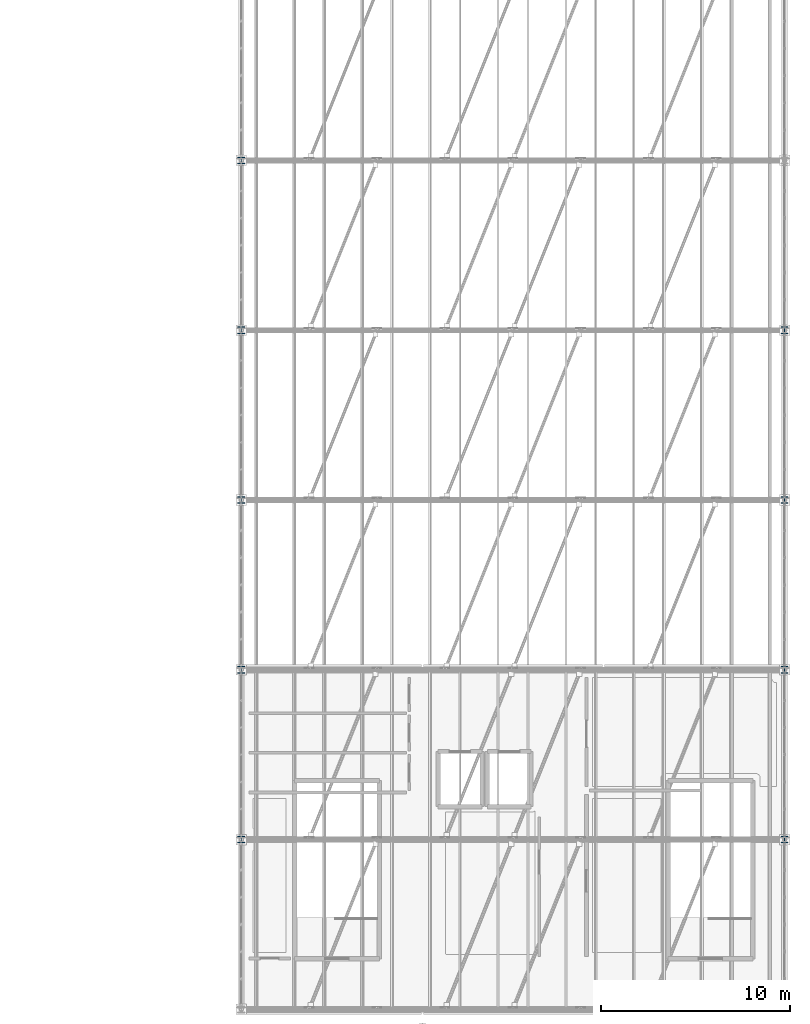
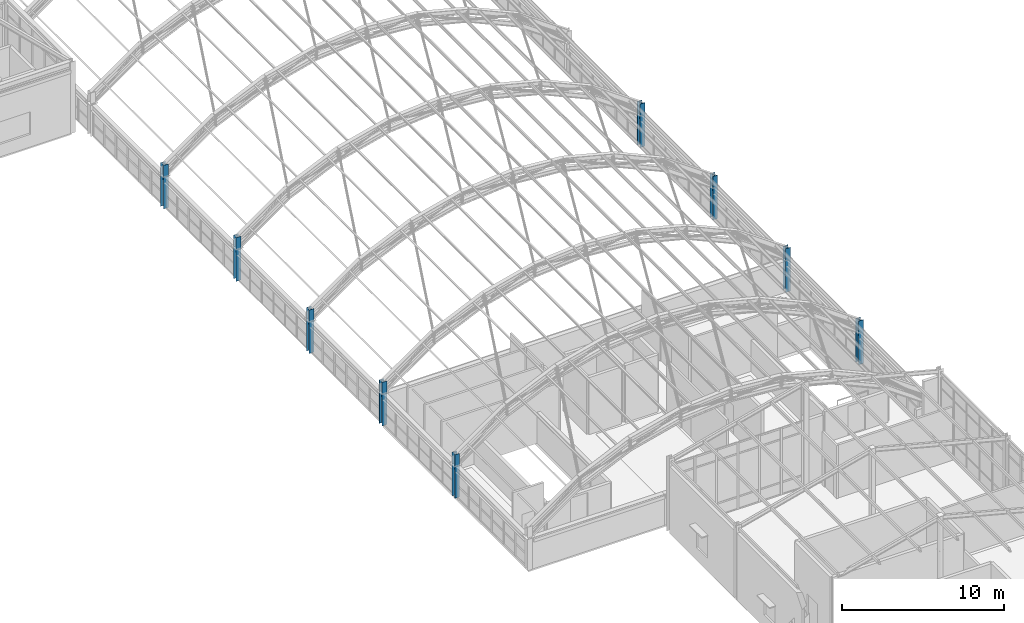
# One storey, part 2 of 121: 9 columns.
"""IFC4 building model written with IfcOpenShell, lengths in metres."""

import ifcopenshell
import ifcopenshell.guid

model = None  # the IFC model being written
_history = None  # IfcOwnerHistory: only IFC2X3 demands one
_inside = {}  # id of a spatial element -> (the spatial element, [elements in it])
_under = {}  # id of a project, library or spatial element -> (it, [spatial elements below it])
_declared = {}  # id of a project -> (the project, [libraries it declares])
_typed = {}  # id of a type object -> (the type object, [elements of that type])
_made_of = {}  # id of a material, layer set ... -> (it, [elements and type objects made of it])


def new_model(schema):
    """Start an empty IFC model of exactly this schema.

    Asked for "IFC4X3", IfcOpenShell would pick the latest addendum, in which some entities
    have other attributes; the version numbers below select the first issue.
    IFC2X3 requires an IfcOwnerHistory on every rooted entity: one is made here for all.
    """
    global model, _history
    if schema == "IFC4X3":
        model = ifcopenshell.file(schema_version=(4, 3, 0, 0))
    else:
        model = ifcopenshell.file(schema=schema)
    _inside.clear()
    _under.clear()
    _declared.clear()
    _typed.clear()
    _made_of.clear()
    _history = None
    if model.schema == "IFC2X3":
        org = make("IfcOrganization", Name="unknown")
        user = make(
            "IfcPersonAndOrganization",
            ThePerson=make("IfcPerson", FamilyName="unknown"),
            TheOrganization=org,
        )
        app = make(
            "IfcApplication",
            ApplicationDeveloper=org,
            Version="unknown",
            ApplicationFullName="unknown",
            ApplicationIdentifier="unknown",
        )
        _history = make(
            "IfcOwnerHistory",
            OwningUser=user,
            OwningApplication=app,
            ChangeAction="ADDED",
            CreationDate=0,
        )
    return model


def make(cls, **values):
    """One entity of the class cls with the attributes given. An attribute that is None is left unset."""
    return model.create_entity(
        cls, **{name: value for name, value in values.items() if value is not None}
    )


def rooted(cls, **values):
    """An entity with a GlobalId (a new one), such as an element, a storey or a relation."""
    return make(cls, GlobalId=ifcopenshell.guid.new(), OwnerHistory=_history, **values)


def si_unit(unit_type, name, prefix=None):
    """IfcSIUnit, for example si_unit("LENGTHUNIT", "METRE", prefix="MILLI")."""
    return make("IfcSIUnit", UnitType=unit_type, Prefix=prefix, Name=name)


def assignment(units):
    """IfcUnitAssignment: the units of a project."""
    return None if units is None else make("IfcUnitAssignment", Units=units)


def point(xyz):
    """IfcCartesianPoint."""
    return None if xyz is None else make("IfcCartesianPoint", Coordinates=xyz)


def direction(xyz):
    """IfcDirection."""
    return None if xyz is None else make("IfcDirection", DirectionRatios=xyz)


def frame(location, z_axis=None, x_axis=None):
    """IfcAxis2Placement3D, a coordinate frame: its origin and axes. An axis left out is left unset."""
    return make(
        "IfcAxis2Placement3D",
        Location=point(location),
        Axis=direction(z_axis),
        RefDirection=direction(x_axis),
    )


def frame_2d(location, x_axis=None):
    """IfcAxis2Placement2D, a coordinate frame in the plane: its origin and x axis."""
    return make(
        "IfcAxis2Placement2D", Location=point(location), RefDirection=direction(x_axis)
    )


def origin():
    """The frame at (0, 0, 0) with its axes left unset."""
    return frame((0.0, 0.0, 0.0))


def origin_2d():
    """The frame at (0, 0) in the plane with its x axis left unset."""
    return frame_2d((0.0, 0.0))


def place(relative_to, where):
    """IfcLocalPlacement: puts the frame where relative to a parent placement (None: the world)."""
    return make(
        "IfcLocalPlacement", PlacementRelTo=relative_to, RelativePlacement=where
    )


def context(
    kind, dimensions, precision=None, world=None, true_north=None, identifier=None
):
    """IfcGeometricRepresentationContext, for example the 3D "Model" context."""
    return make(
        "IfcGeometricRepresentationContext",
        ContextIdentifier=identifier,
        ContextType=kind,
        CoordinateSpaceDimension=dimensions,
        Precision=precision,
        WorldCoordinateSystem=world,
        TrueNorth=true_north,
    )


def subcontext(parent, identifier, kind, view, scale=None):
    """IfcGeometricRepresentationSubContext, for example "Body" below "Model"."""
    return make(
        "IfcGeometricRepresentationSubContext",
        ContextIdentifier=identifier,
        ContextType=kind,
        ParentContext=parent,
        TargetScale=scale,
        TargetView=view,
    )


def project(units=None, contexts=None):
    """IfcProject with its units and contexts."""
    return rooted(
        "IfcProject",
        Name="project",
        RepresentationContexts=contexts,
        UnitsInContext=assignment(units),
    )


def spatial(cls, under=None, at=None, **own):
    """A site, building, storey or space (cls), placed at a placement, below another one or the project."""
    s = rooted(cls, ObjectPlacement=at, **own)
    if under is not None:
        _under.setdefault(under.id(), (under, []))[1].append(s)
    return s


def profile(cls, at=None, kind="AREA", **sizes):
    """A parametric profile (cls). Its sizes go by their IFC names, for example OverallWidth=200.0."""
    return make(cls, ProfileType=kind, Position=at, **sizes)


def i_section(**sizes):
    """IfcIShapeProfileDef."""
    return profile("IfcIShapeProfileDef", **sizes)


def extrude(swept, where, along, depth):
    """IfcExtrudedAreaSolid: the profile swept, set in the frame where, extruded along a direction by depth."""
    return make(
        "IfcExtrudedAreaSolid",
        SweptArea=swept,
        Position=where,
        ExtrudedDirection=direction(along),
        Depth=depth,
    )


def shape(context_of_items, identifier, shape_type, items):
    """IfcShapeRepresentation: the items that make up one representation, for example the "Body"."""
    return make(
        "IfcShapeRepresentation",
        ContextOfItems=context_of_items,
        RepresentationIdentifier=identifier,
        RepresentationType=shape_type,
        Items=items,
    )


def material(Name=None, Category=None):
    """IfcMaterial."""
    return make("IfcMaterial", Name=Name, Category=Category)


def material_profile(
    of_material, cross_section, Name=None, Category=None, Priority=None
):
    """IfcMaterialProfile: a cross section and its material."""
    return make(
        "IfcMaterialProfile",
        Name=Name,
        Material=of_material,
        Profile=cross_section,
        Priority=Priority,
        Category=Category,
    )


def profile_set(profiles, Name=None, composite=None):
    """IfcMaterialProfileSet."""
    return make(
        "IfcMaterialProfileSet",
        Name=Name,
        MaterialProfiles=profiles,
        CompositeProfile=composite,
    )


def made_of(thing, what):
    """Note that an element or type object is made of a material, layer set ...; save() writes the relation."""
    if what is not None:
        _made_of.setdefault(what.id(), (what, []))[1].append(thing)
    return thing


def type_object(cls, material=None, **own):
    """A type object (cls), such as IfcWallType, which elements share."""
    return made_of(rooted(cls, **own), material)


def element(
    cls,
    number,
    at=None,
    inside=None,
    cuts=None,
    type_object=None,
    material=None,
    context=None,
    identifier="Body",
    shape_type=None,
    held_by="IfcProductDefinitionShape",
    body=None,
    shapes=None,
    **own,
):
    """One element of the class cls, such as IfcWall. Its Tag is "e" and its number.

    at: its placement. inside: the storey or other place that contains it. cuts: it is an
    opening in that element (IfcRelVoidsElement). A single representation is given by context,
    identifier, shape_type and body (its items); several are given by shapes. held_by: the class
    of the entity that holds the representations. save() writes the other relations.
    """
    e = rooted(cls, Tag="e%d" % number, ObjectPlacement=at, **own)
    if body is not None:
        shapes = [shape(context, identifier, shape_type, body)]
    if shapes is not None:
        e.Representation = make(held_by, Representations=shapes)
    if inside is not None:
        _inside.setdefault(inside.id(), (inside, []))[1].append(e)
    if cuts is not None:
        rooted(
            "IfcRelVoidsElement", RelatingBuildingElement=cuts, RelatedOpeningElement=e
        )
    if type_object is not None:
        _typed.setdefault(type_object.id(), (type_object, []))[1].append(e)
    return made_of(e, material)


def aggregate(whole, parts):
    """IfcRelAggregates: a whole, such as a stair, and the parts it consists of."""
    return rooted("IfcRelAggregates", RelatingObject=whole, RelatedObjects=parts)


def save(model, path):
    """Write the relations noted so far, then the file.

    IfcRelAggregates (storeys below a building ...), IfcRelContainedInSpatialStructure (elements
    in a storey), IfcRelDefinesByType, IfcRelAssociatesMaterial and IfcRelDeclares: one each for
    every whole, place, type object, material and project.
    """
    for whole, parts in _under.values():
        aggregate(whole, parts)
    for where, things in _inside.values():
        rooted(
            "IfcRelContainedInSpatialStructure",
            RelatedElements=things,
            RelatingStructure=where,
        )
    for kind, things in _typed.values():
        rooted("IfcRelDefinesByType", RelatedObjects=things, RelatingType=kind)
    for what, things in _made_of.values():
        rooted("IfcRelAssociatesMaterial", RelatedObjects=things, RelatingMaterial=what)
    for by, libraries in _declared.values():
        rooted("IfcRelDeclares", RelatingContext=by, RelatedDefinitions=libraries)
    model.write(path)


model = new_model("IFC4")

# Units and contexts
model_context = context("Model", 3, precision=1e-05, world=origin(), true_north=direction((0.0, 1.0)))
body_context = subcontext(model_context, "Body", "Model", "MODEL_VIEW")
ifc_project = project(units=[si_unit("LENGTHUNIT", "METRE"), si_unit("AREAUNIT", "SQUARE_METRE"), si_unit("VOLUMEUNIT", "CUBIC_METRE"), si_unit("PLANEANGLEUNIT", "RADIAN"), si_unit("MASSUNIT", "GRAM", prefix="KILO")], contexts=[model_context])

# Site, building, storey
site_placement = place(None, origin())
site = spatial("IfcSite", under=ifc_project, at=site_placement, CompositionType="ELEMENT")
building_placement = place(site_placement, origin())
building = spatial("IfcBuilding", under=site, at=building_placement, Name="Canglan Escarpment Cableway Terminal", CompositionType="ELEMENT")
storey_placement = place(building_placement, frame((0.0, 0.0, 24.60009765625)))
storey = spatial("IfcBuildingStorey", under=building, at=storey_placement, Name="L05", CompositionType="ELEMENT", Elevation=24.60009765625)

# Columns
ifc_material = material(Name="Steel Q355C", Category="steel")
ifc_material_profile = material_profile(ifc_material, i_section(OverallWidth=0.35009765625, OverallDepth=0.35009765625, WebThickness=0.011962890625, FlangeThickness=0.01904296875, FilletRadius=0.02001953125, at=origin_2d()), Name="HW 350x350x12x19")
ifc_profile_set = profile_set([ifc_material_profile], Name="Steel Q355C")
column_type = type_object("IfcColumnType", Name="COL-HW350-Q355C", PredefinedType="COLUMN", material=ifc_profile_set)
for number, where, z_axis, x_axis, name in (
    (1, (137.60009765625, 43.0, 0.0), (0.0, 0.0, 1.0), (1.0, 0.0, 0.0), "Structural column C-09"),
    (2, (137.60009765625, 52.0, 0.0), (0.0, 0.0, 1.0), (1.0, 0.0, 0.0), "Structural column C-09"),
    (3, (137.60009765625, 61.0, 0.0), (0.0, 0.0, 1.0), (1.0, 0.0, 0.0), "Structural column C-09"),
    (4, (137.60009765625, 70.0, 0.0), (0.0, 0.0, 1.0), (1.0, 0.0, 0.0), "Structural column C-09"),
    (5, (137.60009765625, 79.0, 0.0), (0.0, 0.0, 1.0), (1.0, 0.0, 0.0), "Structural column C-09"),
    (6, (166.39990234375, 43.0, 0.0), (0.0, 0.0, 1.0), (1.0, 0.0, 0.0), "Structural column C-09"),
    (7, (166.39990234375, 52.0, 0.0), (0.0, 0.0, 1.0), (1.0, 0.0, 0.0), "Structural column C-09"),
    (8, (166.39990234375, 61.0, 0.0), (0.0, 0.0, 1.0), (1.0, 0.0, 0.0), "Structural column C-09"),
    (9, (166.39990234375, 70.0, 0.0), (0.0, 0.0, 1.0), (1.0, 0.0, 0.0), "Structural column C-09"),
):
    element("IfcColumn", number, at=place(storey_placement, frame(where, z_axis=z_axis, x_axis=x_axis)), inside=storey, type_object=column_type, Name=name, PredefinedType="COLUMN", context=body_context, shape_type="SweptSolid", body=[
        extrude(i_section(OverallWidth=0.35009765625, OverallDepth=0.35009765625, WebThickness=0.011962890625, FlangeThickness=0.01904296875, FilletRadius=0.02001953125, at=origin_2d()), origin(), (0.0, 0.0, 1.0), 3.282470703125),
    ])

save(model, "model.ifc")
